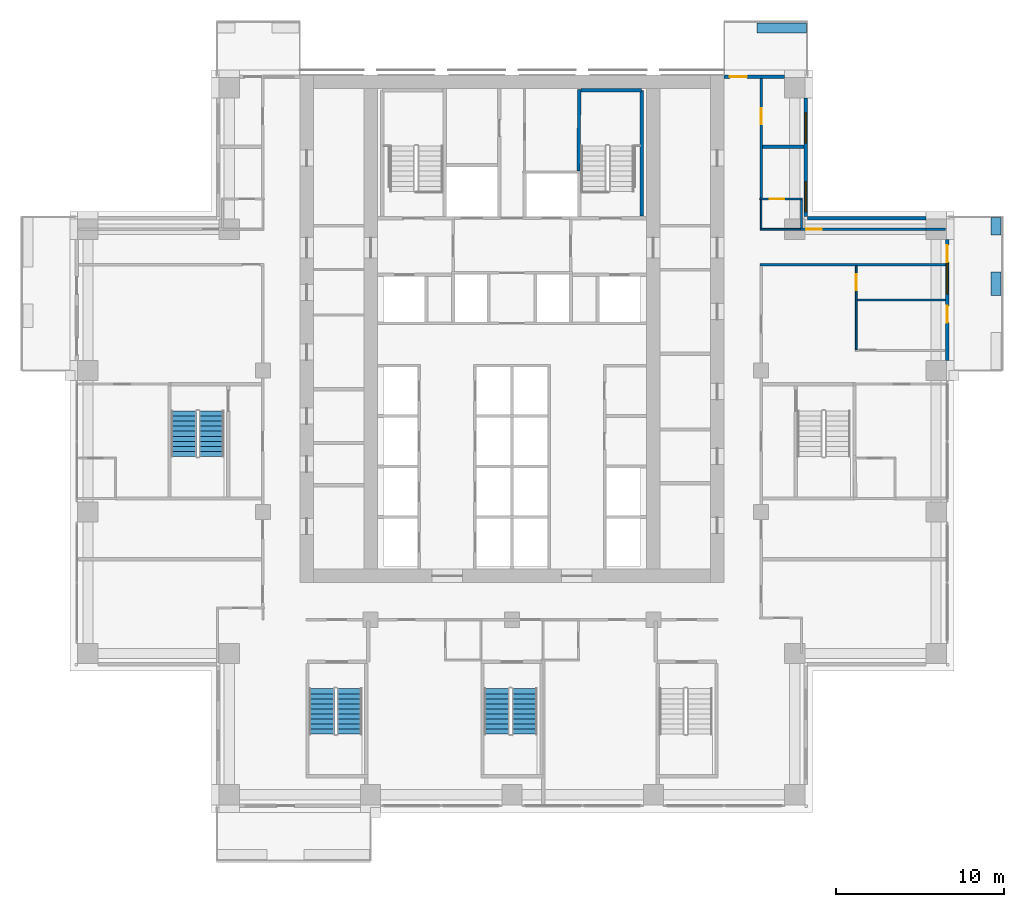
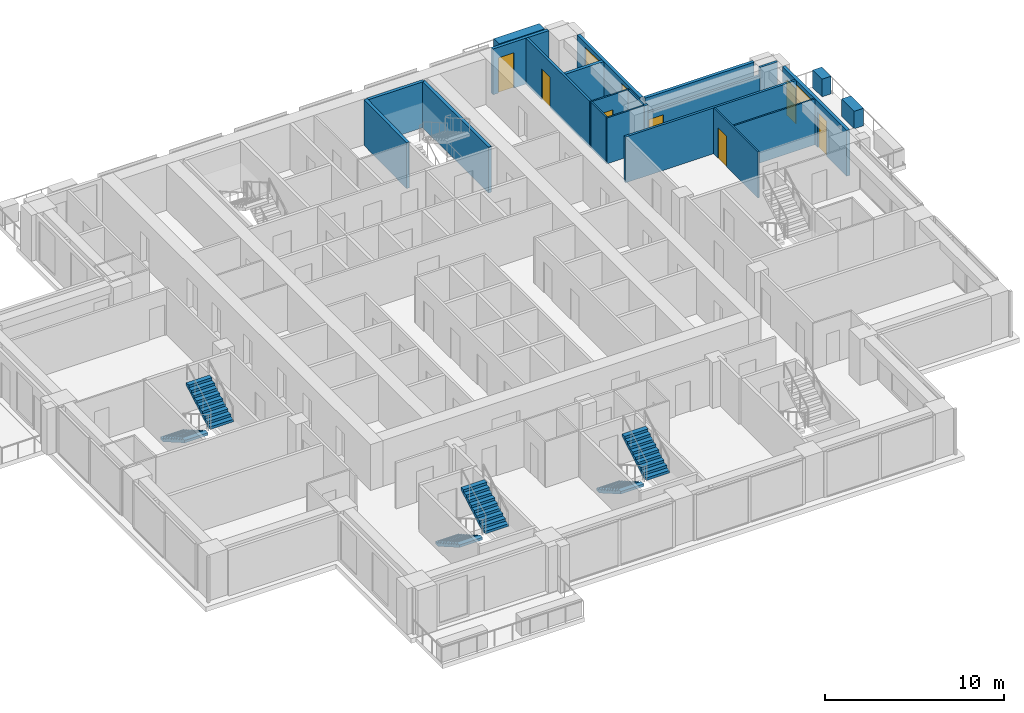
# One storey, part 12 of 17: 22 walls, 7 doors, 6 stair flights, 3 windows, 10 openings, 3 elements without a shape of their own.
"""IFC4 building model written with IfcOpenShell, lengths in metres."""

from ifc_helpers import new_model, si_unit, direction, frame, frame_2d, origin, place, context, subcontext, project, spatial, polyline, rectangle, outline, extrude, material, layer, layer_set, type_object, element, fill, aggregate, save


model = new_model("IFC4")

# Units and contexts
model_context = context("Model", 3, precision=1e-05, world=origin(), true_north=direction((0.0, 1.0)))
body_context = subcontext(model_context, "Body", "Model", "MODEL_VIEW")
ifc_project = project(units=[si_unit("LENGTHUNIT", "METRE"), si_unit("AREAUNIT", "SQUARE_METRE"), si_unit("VOLUMEUNIT", "CUBIC_METRE"), si_unit("PLANEANGLEUNIT", "RADIAN"), si_unit("MASSUNIT", "GRAM", prefix="KILO")], contexts=[model_context])

# Site, building, storey
site_placement = place(None, origin())
site = spatial("IfcSite", under=ifc_project, at=site_placement, CompositionType="ELEMENT")
building_placement = place(site_placement, origin())
building = spatial("IfcBuilding", under=site, at=building_placement, Name="Vermilion Ogive Tower", CompositionType="ELEMENT")
storey_placement = place(building_placement, frame((0.0, 0.0, 83.85009765625)))
storey = spatial("IfcBuildingStorey", under=building, at=storey_placement, Name="L20", CompositionType="ELEMENT", Elevation=83.85009765625)

# Wall
ifc_material_1 = material(Name="Gypsum board partition on steel studs", Category="steel")
ifc_layer_1 = layer(ifc_material_1, 0.10009765625)
ifc_layer_set_1 = layer_set([ifc_layer_1], Name="Partition 100 bath")
wall_type_1 = type_object("IfcWallType", Name="Partition 100 bath", PredefinedType="PARTITIONING", material=ifc_layer_set_1)
wall_1_placement = place(storey_placement, frame((14.75, 12.60009765625, 0.0), z_axis=(0.0, 0.0, 1.0), x_axis=(1.0, 0.0, 0.0)))
element("IfcWall", 1, at=wall_1_placement, inside=storey, type_object=wall_type_1, Name="L20-W-W033", PredefinedType="PARTITIONING", context=body_context, shape_type="SweptSolid", body=[
    extrude(rectangle(XDim=2.5, YDim=0.10009765625, at=frame_2d((1.25, 0.0))), origin(), (0.0, 0.0, 1.0), 3.1298828125),
])

# Wall, opening, door
wall_2_placement = place(storey_placement, frame((14.72509765625, 14.39990234375, 0.0), z_axis=(0.0, 0.0, 1.0), x_axis=(1.0, 0.0, 0.0)))
wall_2 = element("IfcWall", 2, at=wall_2_placement, inside=storey, type_object=wall_type_1, Name="L20-W-W036", PredefinedType="PARTITIONING", context=body_context, shape_type="SweptSolid", body=[
    extrude(rectangle(XDim=2.52490234375, YDim=0.10009765625, at=frame_2d((1.262451171875, 0.0))), origin(), (0.0, 0.0, 1.0), 3.1298828125),
])
opening_1_placement = place(wall_2_placement, frame((0.599853515625, 0.0, 0.0)))
opening_1 = element("IfcOpeningElement", 3, at=opening_1_placement, cuts=wall_2, Name="Opening D2G1021", PredefinedType="OPENING", context=body_context, shape_type="SweptSolid", body=[
    extrude(rectangle(XDim=0.85009765625, YDim=2.10009765625, at=frame_2d((0.425048828125, 1.050048828125))), frame((0.0, 0.06005859375, 0.0), z_axis=(0.0, -1.0, 0.0), x_axis=(1.0, 0.0, 0.0)), (0.0, 0.0, 1.0), 0.1201171875),
])
ifc_material_2 = material(Name="Timber door leaf", Category="wood")
door_type_1 = type_object("IfcDoorType", Name="Bath door 850 x 2100 FD30", OperationType="SINGLE_SWING_LEFT", PredefinedType="DOOR", material=ifc_material_2)
door_1_placement = place(opening_1_placement, origin())
door_1 = element("IfcDoor", 4, at=door_1_placement, inside=storey, type_object=door_type_1, Name="L20-D-D021", OperationType="SINGLE_SWING_RIGHT", OverallHeight=2.10009765625, OverallWidth=0.85009765625, PredefinedType="DOOR", context=body_context, shape_type="SweptSolid", body=[
    extrude(rectangle(XDim=0.85009765625, YDim=2.10009765625, at=frame_2d((0.425048828125, 1.050048828125))), frame((0.0, 0.02490234375, 0.0), z_axis=(0.0, -1.0, 0.0), x_axis=(1.0, 0.0, 0.0)), (0.0, 0.0, 1.0), 0.050048828125),
])
fill(opening_1, door_1)

# Walls
wall_3_placement = place(storey_placement, frame((14.800048828125, 12.64990234375, 0.0), z_axis=(0.0, 0.0, 1.0), x_axis=(0.0, 1.0, 0.0)))
element("IfcWall", 5, at=wall_3_placement, inside=storey, type_object=wall_type_1, Name="L20-W-W058", PredefinedType="PARTITIONING", context=body_context, shape_type="SweptSolid", body=[
    extrude(rectangle(XDim=1.7001953125, YDim=0.10009765625, at=frame_2d((0.85009765625, 0.0))), origin(), (0.0, 0.0, 1.0), 3.1298828125),
])
wall_4_placement = place(storey_placement, frame((17.199951171875, 12.675048828125, 0.0), z_axis=(0.0, 0.0, 1.0), x_axis=(0.0, 1.0, 0.0)))
element("IfcWall", 6, at=wall_4_placement, inside=storey, type_object=wall_type_1, Name="L20-W-W062", PredefinedType="PARTITIONING", context=body_context, shape_type="SweptSolid", body=[
    extrude(rectangle(XDim=1.675048828125, YDim=0.10009765625, at=frame_2d((0.83740234375, 0.0))), origin(), (0.0, 0.0, 1.0), 3.1298828125),
])
ifc_material_3 = material(Name="Gypsum board partition on steel studs", Category="steel")
ifc_layer_2 = layer(ifc_material_3, 0.10009765625)
ifc_layer_set_2 = layer_set([ifc_layer_2], Name="Partition 100 inner")
wall_type_2 = type_object("IfcWallType", Name="Partition 100 inner", PredefinedType="PARTITIONING", material=ifc_layer_set_2)
wall_5_placement = place(storey_placement, frame((20.5, 8.39990234375, 0.0), z_axis=(0.0, 0.0, 1.0), x_axis=(1.0, 0.0, 0.0)))
element("IfcWall", 7, at=wall_5_placement, inside=storey, type_object=wall_type_2, Name="L20-W-W028", PredefinedType="PARTITIONING", context=body_context, shape_type="SweptSolid", body=[
    extrude(rectangle(XDim=5.25, YDim=0.10009765625, at=frame_2d((2.625, 0.0))), origin(), (0.0, 0.0, 1.0), 3.1298828125),
])

# Wall, opening, door
wall_6_placement = place(storey_placement, frame((20.449951171875, 5.449951171875, 0.0), z_axis=(0.0, 0.0, 1.0), x_axis=(0.0, 1.0, 0.0)))
wall_6 = element("IfcWall", 8, at=wall_6_placement, inside=storey, type_object=wall_type_2, Name="L20-W-W065", PredefinedType="PARTITIONING", context=body_context, shape_type="SweptSolid", body=[
    extrude(rectangle(XDim=4.97509765625, YDim=0.10009765625, at=frame_2d((2.487548828125, 0.0))), origin(), (0.0, 0.0, 1.0), 3.1298828125),
])
opening_2_placement = place(wall_6_placement, frame((3.525146484375, 0.0, 0.0)))
opening_2 = element("IfcOpeningElement", 9, at=opening_2_placement, cuts=wall_6, Name="Opening D2G1016", PredefinedType="OPENING", context=body_context, shape_type="SweptSolid", body=[
    extrude(rectangle(XDim=0.949951171875, YDim=2.10009765625, at=frame_2d((0.47509765625, 1.050048828125))), frame((0.0, 0.06005859375, 0.0), z_axis=(0.0, -1.0, 0.0), x_axis=(1.0, 0.0, 0.0)), (0.0, 0.0, 1.0), 0.1201171875),
])
ifc_material_4 = material(Name="Timber door leaf", Category="wood")
door_type_2 = type_object("IfcDoorType", Name="Inner door 950 x 2100 FD30", OperationType="SINGLE_SWING_LEFT", PredefinedType="DOOR", material=ifc_material_4)
door_2_placement = place(opening_2_placement, origin())
door_2 = element("IfcDoor", 10, at=door_2_placement, inside=storey, type_object=door_type_2, Name="L20-D-D016", OperationType="SINGLE_SWING_RIGHT", OverallHeight=2.10009765625, OverallWidth=0.949951171875, PredefinedType="DOOR", context=body_context, shape_type="SweptSolid", body=[
    extrude(rectangle(XDim=0.949951171875, YDim=2.10009765625, at=frame_2d((0.47509765625, 1.050048828125))), frame((0.0, 0.02490234375, 0.0), z_axis=(0.0, -1.0, 0.0), x_axis=(1.0, 0.0, 0.0)), (0.0, 0.0, 1.0), 0.050048828125),
])
fill(opening_2, door_2)

# Walls
ifc_material_5 = material(Name="Gypsum board partition on steel studs", Category="steel")
ifc_layer_3 = layer(ifc_material_5, 0.14990234375)
ifc_layer_set_3 = layer_set([ifc_layer_3], Name="Partition 150 corridor")
wall_type_3 = type_object("IfcWallType", Name="Partition 150 corridor", PredefinedType="PARTITIONING", material=ifc_layer_set_3)
wall_7_placement = place(storey_placement, frame((14.72509765625, 10.5, 0.0), z_axis=(0.0, 0.0, 1.0), x_axis=(1.0, 0.0, 0.0)))
element("IfcWall", 11, at=wall_7_placement, inside=storey, type_object=wall_type_3, Name="L20-W-W030", PredefinedType="PARTITIONING", context=body_context, shape_type="SweptSolid", body=[
    extrude(rectangle(XDim=11.02490234375, YDim=0.14990234375, at=frame_2d((5.512451171875, 0.0))), origin(), (0.0, 0.0, 1.0), 3.1298828125),
])
wall_8_placement = place(storey_placement, frame((17.14990234375, 12.60009765625, 0.0), z_axis=(0.0, 0.0, 1.0), x_axis=(1.0, 0.0, 0.0)))
element("IfcWall", 12, at=wall_8_placement, inside=storey, type_object=wall_type_3, Name="L20-W-W034", PredefinedType="PARTITIONING", context=body_context, shape_type="SweptSolid", body=[
    extrude(rectangle(XDim=0.25, YDim=0.14990234375, at=frame_2d((0.125, 0.0))), origin(), (0.0, 0.0, 1.0), 3.1298828125),
])

# Wall, opening, door
wall_9_placement = place(storey_placement, frame((14.800048828125, 14.449951171875, 0.0), z_axis=(0.0, 0.0, 1.0), x_axis=(0.0, 1.0, 0.0)))
wall_9 = element("IfcWall", 13, at=wall_9_placement, inside=storey, type_object=wall_type_3, Name="L20-W-W059", PredefinedType="PARTITIONING", context=body_context, shape_type="SweptSolid", body=[
    extrude(rectangle(XDim=7.10009765625, YDim=0.14990234375, at=frame_2d((3.550048828125, 0.0))), origin(), (0.0, 0.0, 1.0), 3.1298828125),
])
opening_3_placement = place(wall_9_placement, frame((4.400146484375, 0.0, 0.0)))
opening_3 = element("IfcOpeningElement", 14, at=opening_3_placement, cuts=wall_9, Name="Opening D2G1022", PredefinedType="OPENING", context=body_context, shape_type="SweptSolid", body=[
    extrude(rectangle(XDim=0.949951171875, YDim=2.10009765625, at=frame_2d((0.47509765625, 1.050048828125))), frame((0.0, 0.0849609375, 0.0), z_axis=(0.0, -1.0, 0.0), x_axis=(1.0, 0.0, 0.0)), (0.0, 0.0, 1.0), 0.169921875),
])
ifc_material_6 = material(Name="Timber door leaf", Category="wood")
door_type_3 = type_object("IfcDoorType", Name="Unit door 950 x 2100 FD30S", OperationType="SINGLE_SWING_LEFT", PredefinedType="DOOR", material=ifc_material_6)
door_3_placement = place(opening_3_placement, origin())
door_3 = element("IfcDoor", 15, at=door_3_placement, inside=storey, type_object=door_type_3, Name="L20-D-D022", OperationType="SINGLE_SWING_RIGHT", OverallHeight=2.10009765625, OverallWidth=0.949951171875, PredefinedType="DOOR", context=body_context, shape_type="SweptSolid", body=[
    extrude(rectangle(XDim=0.949951171875, YDim=2.10009765625, at=frame_2d((0.47509765625, 1.050048828125))), frame((0.0, 0.02490234375, 0.0), z_axis=(0.0, -1.0, 0.0), x_axis=(1.0, 0.0, 0.0)), (0.0, 0.0, 1.0), 0.050048828125),
])
fill(opening_3, door_3)

wall_10_placement = place(storey_placement, frame((17.39990234375, 12.60009765625, 0.0), z_axis=(0.0, 0.0, 1.0), x_axis=(1.0, 0.0, 0.0)))
wall_10 = element("IfcWall", 16, at=wall_10_placement, inside=storey, type_object=wall_type_3, Name="L20-W-W034-h1", PredefinedType="PARTITIONING", context=body_context, shape_type="SweptSolid", body=[
    extrude(rectangle(XDim=7.2001953125, YDim=0.14990234375, at=frame_2d((3.60009765625, 0.0))), origin(), (0.0, 0.0, 1.0), 2.579833984375),
])
opening_4_placement = place(wall_10_placement, frame((0.050048828125, 0.0, 0.0)))
opening_4 = element("IfcOpeningElement", 17, at=opening_4_placement, cuts=wall_10, Name="Opening D2G1020", PredefinedType="OPENING", context=body_context, shape_type="SweptSolid", body=[
    extrude(rectangle(XDim=0.949951171875, YDim=2.10009765625, at=frame_2d((0.47509765625, 1.050048828125))), frame((0.0, 0.0849609375, 0.0), z_axis=(0.0, -1.0, 0.0), x_axis=(1.0, 0.0, 0.0)), (0.0, 0.0, 1.0), 0.169921875),
])
door_4_placement = place(opening_4_placement, origin())
door_4 = element("IfcDoor", 18, at=door_4_placement, inside=storey, type_object=door_type_3, Name="L20-D-D020", OperationType="SINGLE_SWING_LEFT", OverallHeight=2.10009765625, OverallWidth=0.949951171875, PredefinedType="DOOR", context=body_context, shape_type="SweptSolid", body=[
    extrude(rectangle(XDim=0.949951171875, YDim=2.10009765625, at=frame_2d((0.47509765625, 1.050048828125))), frame((0.0, 0.02490234375, 0.0), z_axis=(0.0, -1.0, 0.0), x_axis=(1.0, 0.0, 0.0)), (0.0, 0.0, 1.0), 0.050048828125),
])
fill(opening_4, door_4)

# Walls
wall_11_placement = place(storey_placement, frame((24.60009765625, 12.60009765625, 0.0), z_axis=(0.0, 0.0, 1.0), x_axis=(1.0, 0.0, 0.0)))
element("IfcWall", 19, at=wall_11_placement, inside=storey, type_object=wall_type_3, Name="L20-W-W034-h2", PredefinedType="PARTITIONING", context=body_context, shape_type="SweptSolid", body=[
    extrude(rectangle(XDim=1.14990234375, YDim=0.14990234375, at=frame_2d((0.574951171875, 0.0))), origin(), (0.0, 0.0, 1.0), 3.1298828125),
])
ifc_material_7 = material(Name="Gypsum board partition on steel studs", Category="steel")
ifc_layer_4 = layer(ifc_material_7, 0.199951171875)
ifc_layer_set_4 = layer_set([ifc_layer_4], Name="Partition 200 party")
wall_type_4 = type_object("IfcWallType", Name="Partition 200 party", PredefinedType="PARTITIONING", material=ifc_layer_set_4)
wall_12_placement = place(storey_placement, frame((14.875, 17.5, 0.0), z_axis=(0.0, 0.0, 1.0), x_axis=(1.0, 0.0, 0.0)))
element("IfcWall", 20, at=wall_12_placement, inside=storey, type_object=wall_type_4, Name="L20-W-W038", PredefinedType="PARTITIONING", context=body_context, shape_type="SweptSolid", body=[
    extrude(rectangle(XDim=2.47509765625, YDim=0.199951171875, at=frame_2d((1.237548828125, 0.0))), origin(), (0.0, 0.0, 1.0), 3.1298828125),
])
ifc_material_8 = material(Name="Concrete B60", Category="concrete")
ifc_layer_5 = layer(ifc_material_8, 0.199951171875)
ifc_layer_set_5 = layer_set([ifc_layer_5], Name="Stair shaft wall 200 Concrete B60")
wall_type_5 = type_object("IfcWallType", Name="Stair shaft wall 200 Concrete B60", PredefinedType="SOLIDWALL", material=ifc_layer_set_5)
wall_13_placement = place(storey_placement, frame((3.949951171875, 16.050048828125, 0.0), z_axis=(0.0, 0.0, 1.0), x_axis=(0.01032118628, 0.999946735138, 0.0)))
element("IfcWall", 21, at=wall_13_placement, inside=storey, type_object=wall_type_5, Name="L20-CK-W-W038", PredefinedType="SOLIDWALL", context=body_context, shape_type="SweptSolid", body=[
    extrude(rectangle(XDim=4.84912109375, YDim=0.199951171875, at=frame_2d((2.424560546875, 0.0))), origin(), (0.0, 0.0, 1.0), 3.1298828125),
])
wall_14_placement = place(storey_placement, frame((7.699951171875, 13.39990234375, 0.0), z_axis=(0.0, 0.0, 1.0), x_axis=(0.0, 1.0, 0.0)))
element("IfcWall", 22, at=wall_14_placement, inside=storey, type_object=wall_type_5, Name="L20-SW-R026-E1", PredefinedType="SOLIDWALL", context=body_context, shape_type="SweptSolid", body=[
    extrude(rectangle(XDim=7.4501953125, YDim=0.199951171875, at=frame_2d((3.72509765625, 0.0))), origin(), (0.0, 0.0, 1.0), 3.1298828125),
])
wall_15_placement = place(storey_placement, frame((4.10009765625, 20.85009765625, 0.0), z_axis=(0.0, 0.0, 1.0), x_axis=(1.0, 0.0, 0.0)))
element("IfcWall", 23, at=wall_15_placement, inside=storey, type_object=wall_type_5, Name="L20-SW-R026-N1", PredefinedType="SOLIDWALL", context=body_context, shape_type="SweptSolid", body=[
    extrude(rectangle(XDim=3.599853515625, YDim=0.199951171875, at=frame_2d((1.7998046875, 0.0))), origin(), (0.0, 0.0, 1.0), 3.1298828125),
])
ifc_material_9 = material(Name="Concrete B40", Category="concrete")
ifc_layer_6 = layer(ifc_material_9, 0.60009765625)
ifc_layer_set_6 = layer_set([ifc_layer_6], Name="Structural planter")
wall_type_6 = type_object("IfcWallType", Name="Structural planter", PredefinedType="USERDEFINED", material=ifc_layer_set_6)
wall_16_placement = place(storey_placement, frame((28.75, 8.64990234375, -0.0400390625), z_axis=(0.0, 0.0, 1.0), x_axis=(0.0, 1.0, 0.0)))
element("IfcWall", 24, at=wall_16_placement, inside=storey, type_object=wall_type_6, Name="Planter E03A2", ObjectType="PLANTER", PredefinedType="USERDEFINED", context=body_context, shape_type="SweptSolid", body=[
    extrude(rectangle(XDim=1.400146484375, YDim=0.60009765625, at=frame_2d((0.7001953125, 0.0))), origin(), (0.0, 0.0, 1.0), 1.199951171875),
])
wall_17_placement = place(storey_placement, frame((28.75, 12.25, -0.0400390625), z_axis=(0.0, 0.0, 1.0), x_axis=(0.0, 1.0, 0.0)))
element("IfcWall", 25, at=wall_17_placement, inside=storey, type_object=wall_type_6, Name="Planter E03A3", ObjectType="PLANTER", PredefinedType="USERDEFINED", context=body_context, shape_type="SweptSolid", body=[
    extrude(rectangle(XDim=1.0400390625, YDim=0.60009765625, at=frame_2d((0.52001953125, 0.0))), origin(), (0.0, 0.0, 1.0), 1.199951171875),
])
wall_18_placement = place(storey_placement, frame((17.489990234375, 24.550048828125, -0.0400390625), z_axis=(0.0, 0.0, 1.0), x_axis=(-1.0, 0.0, 0.0)))
element("IfcWall", 26, at=wall_18_placement, inside=storey, type_object=wall_type_6, Name="Planter N101A1", ObjectType="PLANTER", PredefinedType="USERDEFINED", context=body_context, shape_type="SweptSolid", body=[
    extrude(rectangle(XDim=2.93994140625, YDim=0.60009765625, at=frame_2d((1.469970703125, 0.0))), origin(), (0.0, 0.0, 1.0), 1.199951171875),
])

# Wall, openings, doors, window
ifc_material_10 = material(Name="Aluminium window wall framing", Category="aluminium")
ifc_layer_7 = layer(ifc_material_10, 0.199951171875)
ifc_layer_set_7 = layer_set([ifc_layer_7], Name="Window wall")
wall_type_7 = type_object("IfcWallType", Name="Window wall", PredefinedType="STANDARD", material=ifc_layer_set_7)
wall_19_placement = place(storey_placement, frame((25.85009765625, 4.800048828125, 0.0), z_axis=(0.0, 0.0, 1.0), x_axis=(0.0, 1.0, 0.0)))
wall_19 = element("IfcWall", 27, at=wall_19_placement, inside=storey, type_object=wall_type_7, Name="Window wall E3", PredefinedType="STANDARD", context=body_context, shape_type="SweptSolid", body=[
    extrude(rectangle(XDim=7.199951171875, YDim=0.199951171875, at=frame_2d((3.60009765625, 0.0))), origin(), (0.0, 0.0, 1.0), 3.1298828125),
])
opening_5_placement = place(wall_19_placement, frame((2.25, 0.0, 0.0)))
opening_5 = element("IfcOpeningElement", 28, at=opening_5_placement, cuts=wall_19, Name="Opening D1-E01", PredefinedType="OPENING", context=body_context, shape_type="SweptSolid", body=[
    extrude(rectangle(XDim=1.0, YDim=2.39990234375, at=frame_2d((0.5, 1.199951171875))), frame((0.0, 0.10986328125, 0.0), z_axis=(0.0, -1.0, 0.0), x_axis=(1.0, 0.0, 0.0)), (0.0, 0.0, 1.0), 0.219970703125),
])
opening_6_placement = place(wall_19_placement, frame((3.949951171875, 0.0, 0.199951171875)))
opening_6 = element("IfcOpeningElement", 29, at=opening_6_placement, cuts=wall_19, Name="Opening W1-E02", PredefinedType="OPENING", context=body_context, shape_type="SweptSolid", body=[
    extrude(rectangle(XDim=1.800048828125, YDim=2.64990234375, at=frame_2d((0.89990234375, 1.324951171875))), frame((0.0, 0.10986328125, 0.0), z_axis=(0.0, -1.0, 0.0), x_axis=(1.0, 0.0, 0.0)), (0.0, 0.0, 1.0), 0.219970703125),
])
opening_7_placement = place(wall_19_placement, frame((5.85009765625, 0.0, 0.0)))
opening_7 = element("IfcOpeningElement", 30, at=opening_7_placement, cuts=wall_19, Name="Opening D1-E02", PredefinedType="OPENING", context=body_context, shape_type="SweptSolid", body=[
    extrude(rectangle(XDim=1.0, YDim=2.39990234375, at=frame_2d((0.5, 1.199951171875))), frame((0.0, 0.10986328125, 0.0), z_axis=(0.0, -1.0, 0.0), x_axis=(1.0, 0.0, 0.0)), (0.0, 0.0, 1.0), 0.219970703125),
])
ifc_material_11 = material(Name="Aluminium framed glazed door", Category="aluminium")
door_type_4 = type_object("IfcDoorType", Name="Balcony door D1", OperationType="SINGLE_SWING_LEFT", PredefinedType="DOOR", material=ifc_material_11)
door_5_placement = place(opening_5_placement, origin())
door_5 = element("IfcDoor", 31, at=door_5_placement, inside=storey, type_object=door_type_4, Name="Balcony door E01", OperationType="SINGLE_SWING_LEFT", OverallHeight=2.39990234375, OverallWidth=1.0, PredefinedType="DOOR", context=body_context, shape_type="SweptSolid", body=[
    extrude(rectangle(XDim=1.0, YDim=2.39990234375, at=frame_2d((0.5, 1.199951171875))), frame((0.0, 0.02490234375, 0.0), z_axis=(0.0, -1.0, 0.0), x_axis=(1.0, 0.0, 0.0)), (0.0, 0.0, 1.0), 0.050048828125),
])
fill(opening_5, door_5)
door_6_placement = place(opening_7_placement, origin())
door_6 = element("IfcDoor", 32, at=door_6_placement, inside=storey, type_object=door_type_4, Name="Balcony door E02", OperationType="SINGLE_SWING_LEFT", OverallHeight=2.39990234375, OverallWidth=1.0, PredefinedType="DOOR", context=body_context, shape_type="SweptSolid", body=[
    extrude(rectangle(XDim=1.0, YDim=2.39990234375, at=frame_2d((0.5, 1.199951171875))), frame((0.0, 0.02490234375, 0.0), z_axis=(0.0, -1.0, 0.0), x_axis=(1.0, 0.0, 0.0)), (0.0, 0.0, 1.0), 0.050048828125),
])
fill(opening_7, door_6)
ifc_material_12 = material(Name="Aluminium framed double glazing", Category="aluminium")
window_type = type_object("IfcWindowType", Name="Guest window W1", PartitioningType="SINGLE_PANEL", PredefinedType="WINDOW", material=ifc_material_12)
window_1_placement = place(opening_6_placement, origin())
window_1 = element("IfcWindow", 33, at=window_1_placement, inside=storey, type_object=window_type, Name="Window E02", OverallHeight=2.64990234375, OverallWidth=1.800048828125, PartitioningType="SINGLE_PANEL", PredefinedType="WINDOW", context=body_context, shape_type="SweptSolid", body=[
    extrude(rectangle(XDim=1.800048828125, YDim=2.64990234375, at=frame_2d((0.89990234375, 1.324951171875))), frame((0.0, 0.030029296875, 0.0), z_axis=(0.0, -1.0, 0.0), x_axis=(1.0, 0.0, 0.0)), (0.0, 0.0, 1.0), 0.06005859375),
])
fill(opening_6, window_1)

# Wall
wall_20_placement = place(storey_placement, frame((24.60009765625, 13.25, 0.0), z_axis=(0.0, 0.0, 1.0), x_axis=(-1.0, 0.0, 0.0)))
element("IfcWall", 34, at=wall_20_placement, inside=storey, type_object=wall_type_7, Name="Window wall X31", PredefinedType="STANDARD", context=body_context, shape_type="SweptSolid", body=[
    extrude(rectangle(XDim=7.050048828125, YDim=0.199951171875, at=frame_2d((3.52490234375, 0.0))), origin(), (0.0, 0.0, 1.0), 3.1298828125),
])

# Wall, openings, windows
wall_21_placement = place(storey_placement, frame((17.449951171875, 13.35009765625, 0.0), z_axis=(0.0, 0.0, 1.0), x_axis=(0.0, 1.0, 0.0)))
wall_21 = element("IfcWall", 35, at=wall_21_placement, inside=storey, type_object=wall_type_7, Name="Window wall X41", PredefinedType="STANDARD", context=body_context, shape_type="SweptSolid", body=[
    extrude(rectangle(XDim=7.0498046875, YDim=0.199951171875, at=frame_2d((3.52490234375, 0.0))), origin(), (0.0, 0.0, 1.0), 3.1298828125),
])
opening_8_placement = place(wall_21_placement, frame((0.27490234375, 0.0, 0.199951171875)))
opening_8 = element("IfcOpeningElement", 36, at=opening_8_placement, cuts=wall_21, Name="Opening W1-X403", PredefinedType="OPENING", context=body_context, shape_type="SweptSolid", body=[
    extrude(rectangle(XDim=1.800048828125, YDim=2.64990234375, at=frame_2d((0.89990234375, 1.324951171875))), frame((0.0, 0.10986328125, 0.0), z_axis=(0.0, -1.0, 0.0), x_axis=(1.0, 0.0, 0.0)), (0.0, 0.0, 1.0), 0.219970703125),
])
opening_9_placement = place(wall_21_placement, frame((4.3701171875, 0.0, 0.199951171875)))
opening_9 = element("IfcOpeningElement", 37, at=opening_9_placement, cuts=wall_21, Name="Opening W1-X404", PredefinedType="OPENING", context=body_context, shape_type="SweptSolid", body=[
    extrude(rectangle(XDim=1.800048828125, YDim=2.64990234375, at=frame_2d((0.89990234375, 1.324951171875))), frame((0.0, 0.10986328125, 0.0), z_axis=(0.0, -1.0, 0.0), x_axis=(1.0, 0.0, 0.0)), (0.0, 0.0, 1.0), 0.219970703125),
])
window_2_placement = place(opening_8_placement, origin())
window_2 = element("IfcWindow", 38, at=window_2_placement, inside=storey, type_object=window_type, Name="Window X403", OverallHeight=2.64990234375, OverallWidth=1.800048828125, PartitioningType="SINGLE_PANEL", PredefinedType="WINDOW", context=body_context, shape_type="SweptSolid", body=[
    extrude(rectangle(XDim=1.800048828125, YDim=2.64990234375, at=frame_2d((0.89990234375, 1.324951171875))), frame((0.0, 0.030029296875, 0.0), z_axis=(0.0, -1.0, 0.0), x_axis=(1.0, 0.0, 0.0)), (0.0, 0.0, 1.0), 0.06005859375),
])
fill(opening_8, window_2)
window_3_placement = place(opening_9_placement, origin())
window_3 = element("IfcWindow", 39, at=window_3_placement, inside=storey, type_object=window_type, Name="Window X404", OverallHeight=2.64990234375, OverallWidth=1.800048828125, PartitioningType="SINGLE_PANEL", PredefinedType="WINDOW", context=body_context, shape_type="SweptSolid", body=[
    extrude(rectangle(XDim=1.800048828125, YDim=2.64990234375, at=frame_2d((0.89990234375, 1.324951171875))), frame((0.0, 0.030029296875, 0.0), z_axis=(0.0, -1.0, 0.0), x_axis=(1.0, 0.0, 0.0)), (0.0, 0.0, 1.0), 0.06005859375),
])
fill(opening_9, window_3)

# Wall, opening, door
wall_22_placement = place(storey_placement, frame((16.199951171875, 21.64990234375, 0.0), z_axis=(0.0, 0.0, 1.0), x_axis=(-1.0, 0.0, 0.0)))
wall_22 = element("IfcWall", 40, at=wall_22_placement, inside=storey, type_object=wall_type_7, Name="Window wall N11", PredefinedType="STANDARD", context=body_context, shape_type="SweptSolid", body=[
    extrude(rectangle(XDim=3.599853515625, YDim=0.199951171875, at=frame_2d((1.7998046875, 0.0))), origin(), (0.0, 0.0, 1.0), 3.1298828125),
])
opening_10_placement = place(wall_22_placement, frame((2.25, 0.0, 0.0)))
opening_10 = element("IfcOpeningElement", 41, at=opening_10_placement, cuts=wall_22, Name="Opening D1-N103", PredefinedType="OPENING", context=body_context, shape_type="SweptSolid", body=[
    extrude(rectangle(XDim=1.0, YDim=2.39990234375, at=frame_2d((0.5, 1.199951171875))), frame((0.0, 0.10986328125, 0.0), z_axis=(0.0, -1.0, 0.0), x_axis=(1.0, 0.0, 0.0)), (0.0, 0.0, 1.0), 0.219970703125),
])
door_7_placement = place(opening_10_placement, origin())
door_7 = element("IfcDoor", 42, at=door_7_placement, inside=storey, type_object=door_type_4, Name="Balcony door N103", OperationType="SINGLE_SWING_LEFT", OverallHeight=2.39990234375, OverallWidth=1.0, PredefinedType="DOOR", context=body_context, shape_type="SweptSolid", body=[
    extrude(rectangle(XDim=1.0, YDim=2.39990234375, at=frame_2d((0.5, 1.199951171875))), frame((0.0, 0.02490234375, 0.0), z_axis=(0.0, -1.0, 0.0), x_axis=(1.0, 0.0, 0.0)), (0.0, 0.0, 1.0), 0.050048828125),
])
fill(opening_10, door_7)

# Stair, stair flights
ifc_material_13 = material(Name="Concrete B40", Category="concrete")
stair_type = type_object("IfcStairType", Name="Exit stair 1500", PredefinedType="HALF_TURN_STAIR", material=ifc_material_13)
stair_1_placement = place(storey_placement, origin())
stair_1 = element("IfcStair", 43, at=stair_1_placement, inside=storey, type_object=stair_type, Name="L20 Exit Stair ST3", PredefinedType="HALF_TURN_STAIR")
ifc_material_14 = material(Name="Concrete B40", Category="concrete")
stair_flight_type = type_object("IfcStairFlightType", Name="Stair flight 1500", PredefinedType="STRAIGHT", material=ifc_material_14)
stair_flight_1_placement = place(storey_placement, frame((-11.300048828125, -14.699951171875, 0.0), z_axis=(0.0, 0.0, 1.0), x_axis=(0.0, -1.0, 0.0)))
stair_flight_1 = element("IfcStairFlight", 44, at=stair_flight_1_placement, type_object=stair_flight_type, Name="ST3 flight 1", NumberOfRisers=10, NumberOfTreads=9, PredefinedType="STRAIGHT", RiserHeight=0.1725, TreadLength=0.3, context=body_context, shape_type="SweptSolid", body=[
    extrude(outline(polyline([(0.0, 0.0), (0.0, 0.172607421875), (0.300048828125, 0.172607421875), (0.300048828125, 0.344970703125), (0.60009765625, 0.344970703125), (0.60009765625, 0.517578125), (0.89990234375, 0.517578125), (0.89990234375, 0.68994140625), (1.199951171875, 0.68994140625), (1.199951171875, 0.862548828125), (1.5, 0.862548828125), (1.5, 1.034912109375), (1.800048828125, 1.034912109375), (1.800048828125, 1.20751953125), (2.10009765625, 1.20751953125), (2.10009765625, 1.3798828125), (2.39990234375, 1.3798828125), (2.39990234375, 1.552490234375), (2.699951171875, 1.552490234375), (2.699951171875, 1.72509765625), (2.699951171875, 1.379638671875), (0.30078125, 0.0), (0.0, 0.0)])), frame((0.0, 0.75, 0.0), z_axis=(0.0, -1.0, 0.0), x_axis=(1.0, 0.0, 0.0)), (0.0, 0.0, 1.0), 1.5),
])
stair_flight_2_placement = place(storey_placement, frame((-9.64990234375, -17.39990234375, 1.724853515625), z_axis=(0.0, 0.0, 1.0), x_axis=(0.0, 1.0, 0.0)))
stair_flight_2 = element("IfcStairFlight", 45, at=stair_flight_2_placement, type_object=stair_flight_type, Name="ST3 flight 2", NumberOfRisers=10, NumberOfTreads=9, PredefinedType="STRAIGHT", RiserHeight=0.1725, TreadLength=0.3, context=body_context, shape_type="SweptSolid", body=[
    extrude(outline(polyline([(0.0, 0.0), (0.0, 0.172607421875), (0.300048828125, 0.172607421875), (0.300048828125, 0.344970703125), (0.60009765625, 0.344970703125), (0.60009765625, 0.517578125), (0.89990234375, 0.517578125), (0.89990234375, 0.68994140625), (1.199951171875, 0.68994140625), (1.199951171875, 0.862548828125), (1.5, 0.862548828125), (1.5, 1.034912109375), (1.800048828125, 1.034912109375), (1.800048828125, 1.20751953125), (2.10009765625, 1.20751953125), (2.10009765625, 1.3798828125), (2.39990234375, 1.3798828125), (2.39990234375, 1.552490234375), (2.699951171875, 1.552490234375), (2.699951171875, 1.72509765625), (2.699951171875, 1.379638671875), (0.30078125, 0.0), (0.0, 0.0)])), frame((0.0, 0.75, 0.0), z_axis=(0.0, -1.0, 0.0), x_axis=(1.0, 0.0, 0.0)), (0.0, 0.0, 1.0), 1.5),
])
aggregate(stair_1, [stair_flight_1, stair_flight_2])

stair_2_placement = place(storey_placement, origin())
stair_2 = element("IfcStair", 46, at=stair_2_placement, inside=storey, type_object=stair_type, Name="L20 Exit Stair ST4", PredefinedType="HALF_TURN_STAIR")
stair_flight_3_placement = place(storey_placement, frame((-0.89990234375, -14.699951171875, 0.0), z_axis=(0.0, 0.0, 1.0), x_axis=(0.0, -1.0, 0.0)))
stair_flight_3 = element("IfcStairFlight", 47, at=stair_flight_3_placement, type_object=stair_flight_type, Name="ST4 flight 1", NumberOfRisers=10, NumberOfTreads=9, PredefinedType="STRAIGHT", RiserHeight=0.1725, TreadLength=0.3, context=body_context, shape_type="SweptSolid", body=[
    extrude(outline(polyline([(0.0, 0.0), (0.0, 0.172607421875), (0.300048828125, 0.172607421875), (0.300048828125, 0.344970703125), (0.60009765625, 0.344970703125), (0.60009765625, 0.517578125), (0.89990234375, 0.517578125), (0.89990234375, 0.68994140625), (1.199951171875, 0.68994140625), (1.199951171875, 0.862548828125), (1.5, 0.862548828125), (1.5, 1.034912109375), (1.800048828125, 1.034912109375), (1.800048828125, 1.20751953125), (2.10009765625, 1.20751953125), (2.10009765625, 1.3798828125), (2.39990234375, 1.3798828125), (2.39990234375, 1.552490234375), (2.699951171875, 1.552490234375), (2.699951171875, 1.72509765625), (2.699951171875, 1.379638671875), (0.30078125, 0.0), (0.0, 0.0)])), frame((0.0, 0.75, 0.0), z_axis=(0.0, -1.0, 0.0), x_axis=(1.0, 0.0, 0.0)), (0.0, 0.0, 1.0), 1.5),
])
stair_flight_4_placement = place(storey_placement, frame((0.75, -17.39990234375, 1.724853515625), z_axis=(0.0, 0.0, 1.0), x_axis=(0.0, 1.0, 0.0)))
stair_flight_4 = element("IfcStairFlight", 48, at=stair_flight_4_placement, type_object=stair_flight_type, Name="ST4 flight 2", NumberOfRisers=10, NumberOfTreads=9, PredefinedType="STRAIGHT", RiserHeight=0.1725, TreadLength=0.3, context=body_context, shape_type="SweptSolid", body=[
    extrude(outline(polyline([(0.0, 0.0), (0.0, 0.172607421875), (0.300048828125, 0.172607421875), (0.300048828125, 0.344970703125), (0.60009765625, 0.344970703125), (0.60009765625, 0.517578125), (0.89990234375, 0.517578125), (0.89990234375, 0.68994140625), (1.199951171875, 0.68994140625), (1.199951171875, 0.862548828125), (1.5, 0.862548828125), (1.5, 1.034912109375), (1.800048828125, 1.034912109375), (1.800048828125, 1.20751953125), (2.10009765625, 1.20751953125), (2.10009765625, 1.3798828125), (2.39990234375, 1.3798828125), (2.39990234375, 1.552490234375), (2.699951171875, 1.552490234375), (2.699951171875, 1.72509765625), (2.699951171875, 1.379638671875), (0.30078125, 0.0), (0.0, 0.0)])), frame((0.0, 0.75, 0.0), z_axis=(0.0, -1.0, 0.0), x_axis=(1.0, 0.0, 0.0)), (0.0, 0.0, 1.0), 1.5),
])
aggregate(stair_2, [stair_flight_3, stair_flight_4])

stair_3_placement = place(storey_placement, origin())
stair_3 = element("IfcStair", 49, at=stair_3_placement, inside=storey, type_object=stair_type, Name="L20 Exit Stair ST9", PredefinedType="HALF_TURN_STAIR")
stair_flight_5_placement = place(storey_placement, frame((-19.5, 1.800048828125, 0.0), z_axis=(0.0, 0.0, 1.0), x_axis=(0.0, -1.0, 0.0)))
stair_flight_5 = element("IfcStairFlight", 50, at=stair_flight_5_placement, type_object=stair_flight_type, Name="ST9 flight 1", NumberOfRisers=10, NumberOfTreads=9, PredefinedType="STRAIGHT", RiserHeight=0.1725, TreadLength=0.3, context=body_context, shape_type="SweptSolid", body=[
    extrude(outline(polyline([(0.0, 0.0), (0.0, 0.172607421875), (0.300048828125, 0.172607421875), (0.300048828125, 0.344970703125), (0.60009765625, 0.344970703125), (0.60009765625, 0.517578125), (0.89990234375, 0.517578125), (0.89990234375, 0.68994140625), (1.199951171875, 0.68994140625), (1.199951171875, 0.862548828125), (1.5, 0.862548828125), (1.5, 1.034912109375), (1.800048828125, 1.034912109375), (1.800048828125, 1.20751953125), (2.10009765625, 1.20751953125), (2.10009765625, 1.3798828125), (2.39990234375, 1.3798828125), (2.39990234375, 1.552490234375), (2.699951171875, 1.552490234375), (2.699951171875, 1.72509765625), (2.699951171875, 1.379638671875), (0.30078125, 0.0), (0.0, 0.0)])), frame((0.0, 0.75, 0.0), z_axis=(0.0, -1.0, 0.0), x_axis=(1.0, 0.0, 0.0)), (0.0, 0.0, 1.0), 1.5),
])
stair_flight_6_placement = place(storey_placement, frame((-17.85009765625, -0.89990234375, 1.724853515625), z_axis=(0.0, 0.0, 1.0), x_axis=(0.0, 1.0, 0.0)))
stair_flight_6 = element("IfcStairFlight", 51, at=stair_flight_6_placement, type_object=stair_flight_type, Name="ST9 flight 2", NumberOfRisers=10, NumberOfTreads=9, PredefinedType="STRAIGHT", RiserHeight=0.1725, TreadLength=0.3, context=body_context, shape_type="SweptSolid", body=[
    extrude(outline(polyline([(0.0, 0.0), (0.0, 0.172607421875), (0.300048828125, 0.172607421875), (0.300048828125, 0.344970703125), (0.60009765625, 0.344970703125), (0.60009765625, 0.517578125), (0.89990234375, 0.517578125), (0.89990234375, 0.68994140625), (1.199951171875, 0.68994140625), (1.199951171875, 0.862548828125), (1.5, 0.862548828125), (1.5, 1.034912109375), (1.800048828125, 1.034912109375), (1.800048828125, 1.20751953125), (2.10009765625, 1.20751953125), (2.10009765625, 1.3798828125), (2.39990234375, 1.3798828125), (2.39990234375, 1.552490234375), (2.699951171875, 1.552490234375), (2.699951171875, 1.72509765625), (2.699951171875, 1.379638671875), (0.30078125, 0.0), (0.0, 0.0)])), frame((0.0, 0.75, 0.0), z_axis=(0.0, -1.0, 0.0), x_axis=(1.0, 0.0, 0.0)), (0.0, 0.0, 1.0), 1.5),
])
aggregate(stair_3, [stair_flight_5, stair_flight_6])

save(model, "model.ifc")
